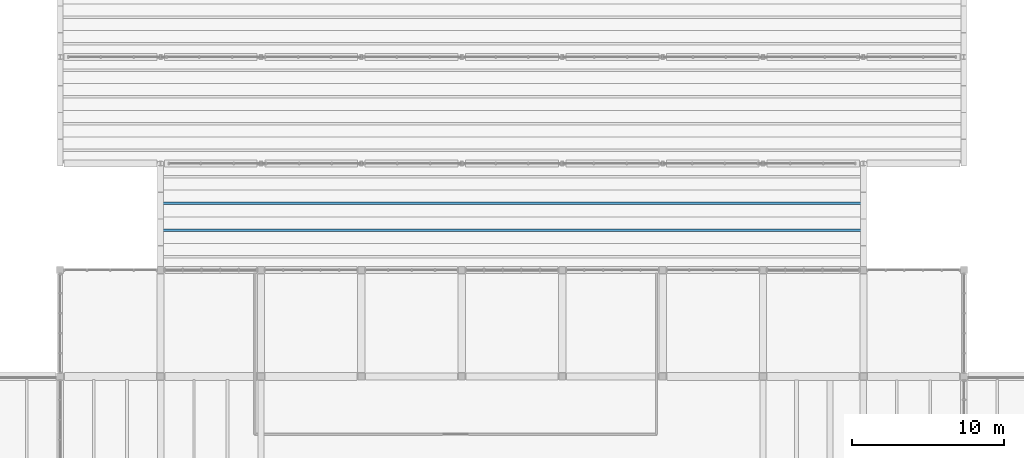
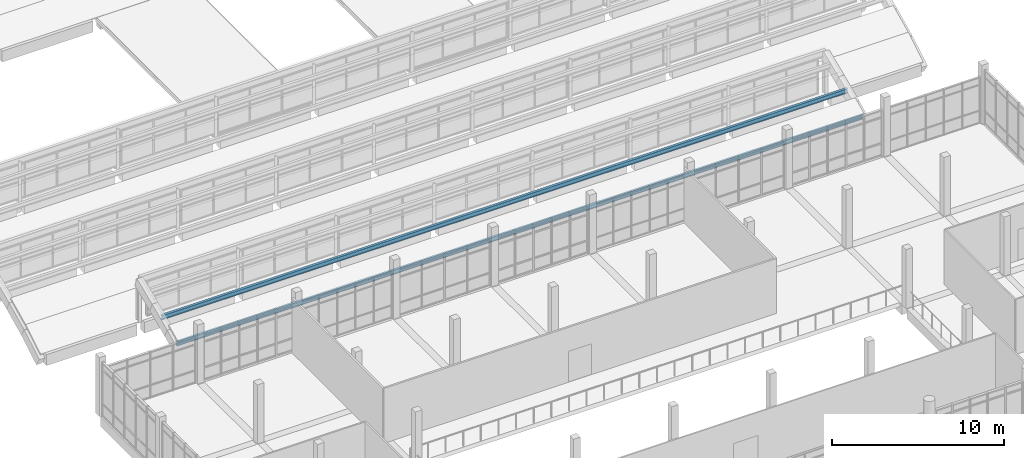
# One storey, part 17 of 92: 2 members.
"""IFC4 building model written with IfcOpenShell, lengths in metres."""

from ifc_helpers import new_model, si_unit, direction, frame, origin, origin_2d, place, context, subcontext, project, spatial, i_section, extrude, material, material_profile, profile_set, type_object, element, save


model = new_model("IFC4")

# Units and contexts
model_context = context("Model", 3, precision=1e-05, world=origin(), true_north=direction((0.0, 1.0)))
body_context = subcontext(model_context, "Body", "Model", "MODEL_VIEW")
ifc_project = project(units=[si_unit("LENGTHUNIT", "METRE"), si_unit("AREAUNIT", "SQUARE_METRE"), si_unit("VOLUMEUNIT", "CUBIC_METRE"), si_unit("PLANEANGLEUNIT", "RADIAN"), si_unit("MASSUNIT", "GRAM", prefix="KILO")], contexts=[model_context])

# Site, building, storey
site_placement = place(None, origin())
site = spatial("IfcSite", under=ifc_project, at=site_placement, CompositionType="ELEMENT")
building_placement = place(site_placement, origin())
building = spatial("IfcBuilding", under=site, at=building_placement, Name="Ciguamira Faculty of Natural Sciences", CompositionType="ELEMENT")
storey_placement = place(building_placement, frame((0.0, 0.0, 16.800048828125)))
storey = spatial("IfcBuildingStorey", under=building, at=storey_placement, Name="L04", CompositionType="ELEMENT", Elevation=16.800048828125)

# Members
ifc_material = material(Name="Steel ASTM A992 Grade 50", Category="steel")
ifc_material_profile = material_profile(ifc_material, i_section(OverallWidth=0.164794921875, OverallDepth=0.309814453125, WebThickness=0.005859375, FlangeThickness=0.009765625, at=origin_2d()), Name="W12X26")
ifc_profile_set = profile_set([ifc_material_profile], Name="Steel ASTM A992 Grade 50")
member_type = type_object("IfcMemberType", Name="SteelMember_PR-02_W12X26", PredefinedType="PURLIN", material=ifc_profile_set)
for number, where, z_axis, x_axis, name in (
    (1, (63.89990234375, 40.625, 1.091552734375), (1.0, 0.0, 0.0), (0.0, 1.0, 0.0), "V4 wave roof steel purlin 1-1-2"),
    (2, (63.89990234375, 42.375, 1.8994140625), (1.0, 0.0, 0.0), (0.0, 1.0, 0.0), "V4 wave roof steel purlin 1-1-3"),
):
    element("IfcMember", number, at=place(storey_placement, frame(where, z_axis=z_axis, x_axis=x_axis)), inside=storey, type_object=member_type, Name=name, PredefinedType="PURLIN", context=body_context, shape_type="SweptSolid", body=[
        extrude(i_section(OverallWidth=0.164794921875, OverallDepth=0.309814453125, WebThickness=0.005859375, FlangeThickness=0.009765625, at=origin_2d()), origin(), (0.0, 0.0, 1.0), 46.2001953125),
    ])

save(model, "model.ifc")
